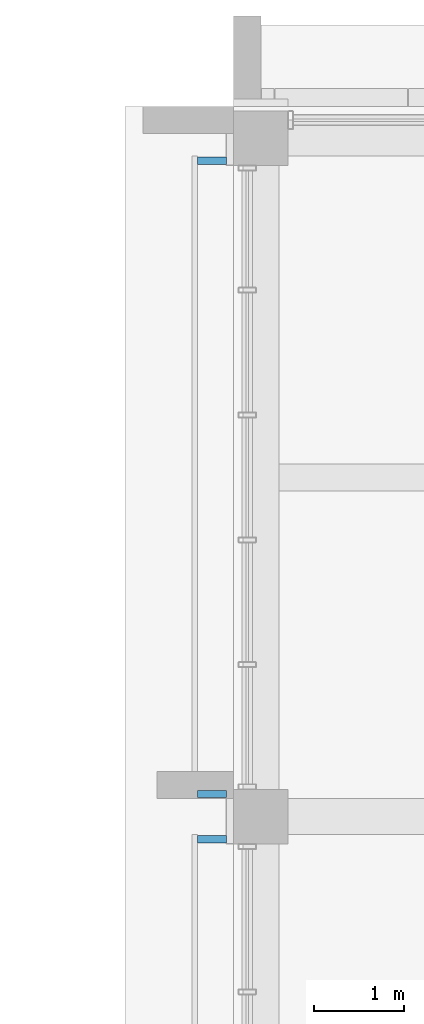
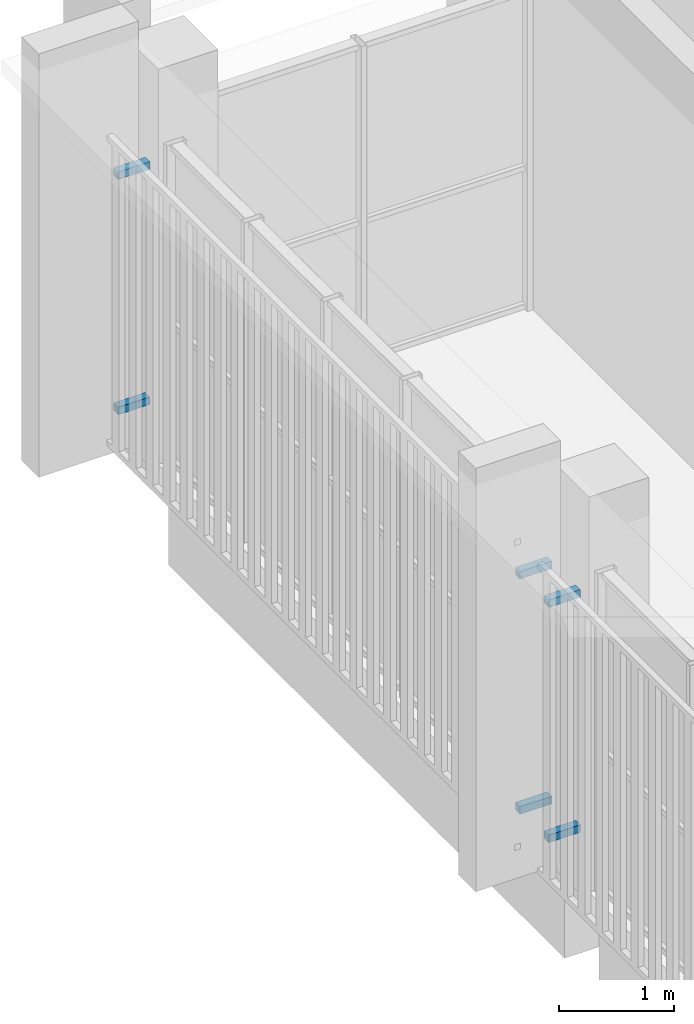
# One storey, part 57 of 92: 6 discrete accessories.
"""IFC4 building model written with IfcOpenShell, lengths in metres."""

from ifc_helpers import new_model, si_unit, direction, frame, origin, origin_2d, place, context, subcontext, project, spatial, rectangle, extrude, material, type_object, element, save


model = new_model("IFC4")

# Units and contexts
model_context = context("Model", 3, precision=1e-05, world=origin(), true_north=direction((0.0, 1.0)))
body_context = subcontext(model_context, "Body", "Model", "MODEL_VIEW")
ifc_project = project(units=[si_unit("LENGTHUNIT", "METRE"), si_unit("AREAUNIT", "SQUARE_METRE"), si_unit("VOLUMEUNIT", "CUBIC_METRE"), si_unit("PLANEANGLEUNIT", "RADIAN"), si_unit("MASSUNIT", "GRAM", prefix="KILO")], contexts=[model_context])

# Site, building, storey
site_placement = place(None, origin())
site = spatial("IfcSite", under=ifc_project, at=site_placement, CompositionType="ELEMENT")
building_placement = place(site_placement, origin())
building = spatial("IfcBuilding", under=site, at=building_placement, Name="Sun Court Science Centre", CompositionType="ELEMENT")
storey_placement = place(building_placement, frame((0.0, 0.0, 11.25)))
storey = spatial("IfcBuildingStorey", under=building, at=storey_placement, Name="L02", CompositionType="ELEMENT", Elevation=11.25)

# Discrete accessories
ifc_material = material(Name="Stainless steel", Category="steel")
discrete_accessory_type = type_object("IfcDiscreteAccessoryType", Name="Jali screen bracket", PredefinedType="BRACKET", material=ifc_material)
for number, where, z_axis, x_axis, name in (
    (1, (77.760009765625, 72.89990234375, 0.659912109375), (0.0, 0.0, 1.0), (0.0, 1.0, 0.0), "Jali screen bracket west face L02 08"),
    (2, (77.760009765625, 72.89990234375, 3.159912109375), (0.0, 0.0, 1.0), (0.0, 1.0, 0.0), "Jali screen bracket west face L02 08"),
    (3, (77.760009765625, 73.39990234375, 0.659912109375), (0.0, 0.0, 1.0), (0.0, 1.0, 0.0), "Jali screen bracket west face L02 09"),
    (4, (77.760009765625, 80.39990234375, 0.659912109375), (0.0, 0.0, 1.0), (0.0, 1.0, 0.0), "Jali screen bracket west face L02 09"),
    (5, (77.760009765625, 73.39990234375, 3.159912109375), (0.0, 0.0, 1.0), (0.0, 1.0, 0.0), "Jali screen bracket west face L02 09"),
    (6, (77.760009765625, 80.39990234375, 3.159912109375), (0.0, 0.0, 1.0), (0.0, 1.0, 0.0), "Jali screen bracket west face L02 09"),
):
    element("IfcDiscreteAccessory", number, at=place(storey_placement, frame(where, z_axis=z_axis, x_axis=x_axis)), inside=storey, type_object=discrete_accessory_type, Name=name, PredefinedType="BRACKET", context=body_context, shape_type="SweptSolid", body=[
        extrude(rectangle(XDim=0.080078125, YDim=0.320068359375, at=origin_2d()), origin(), (0.0, 0.0, 1.0), 0.080078125),
    ])

save(model, "model.ifc")
